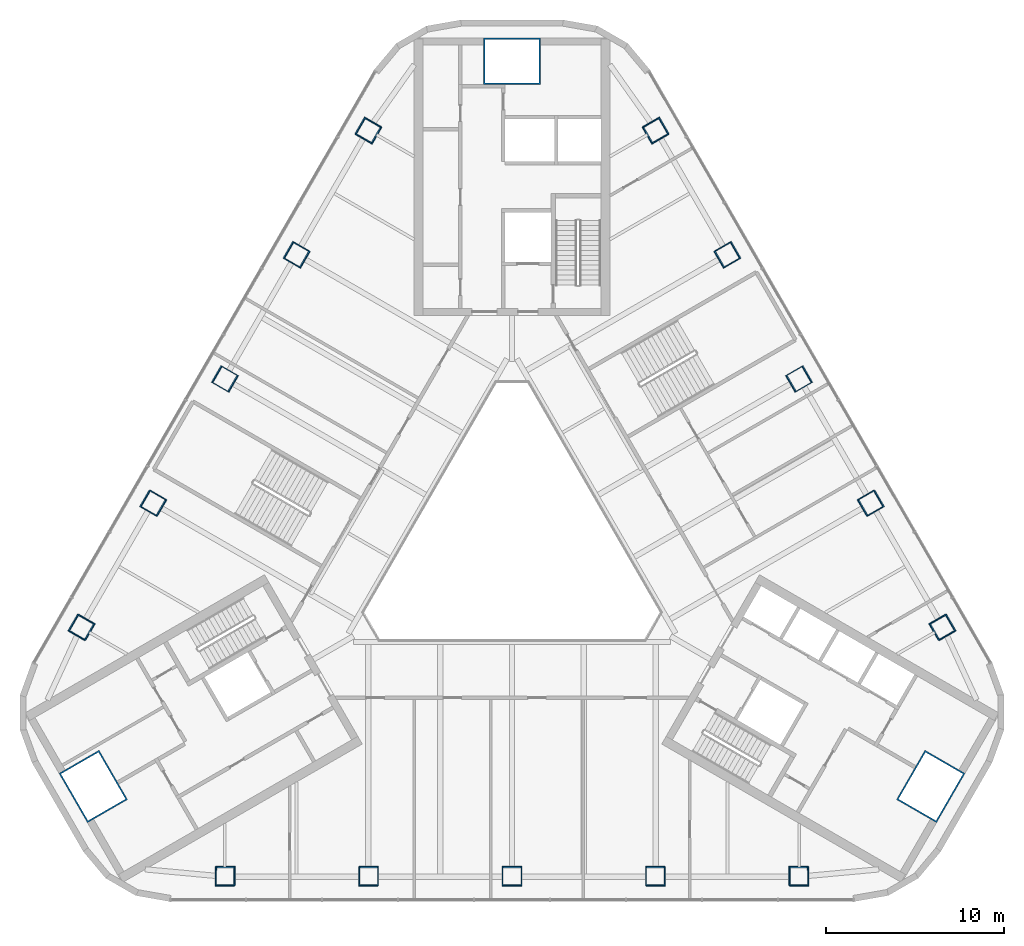
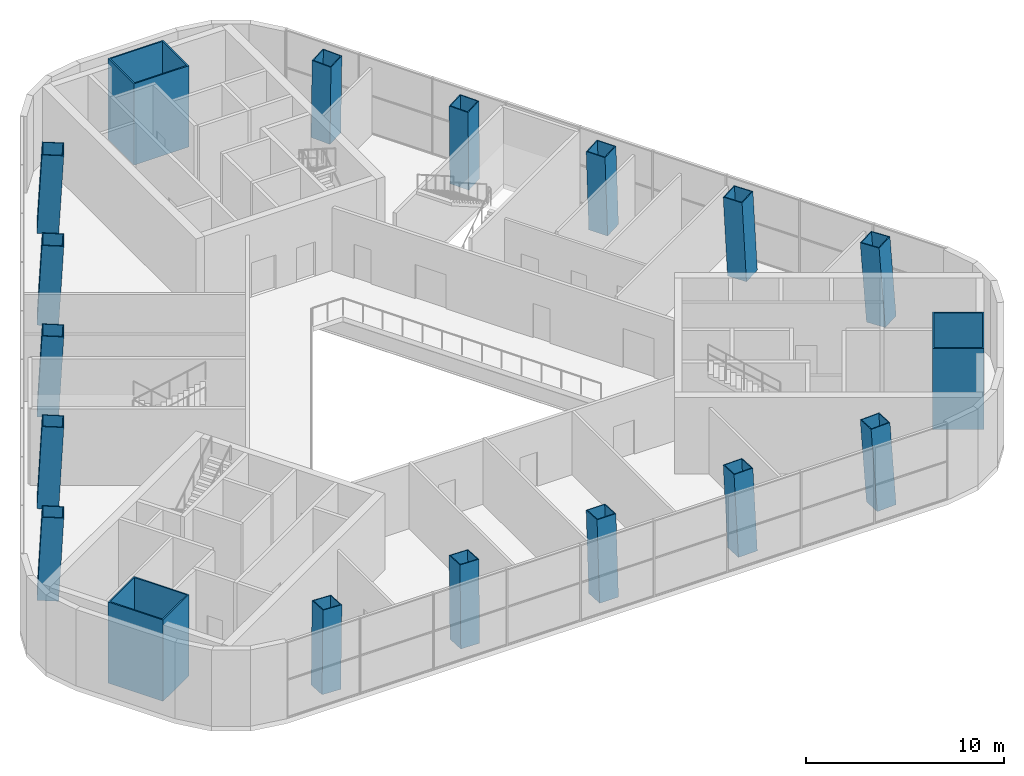
# One storey, part 1 of 13: 18 columns.
"""IFC4 building model written with IfcOpenShell, lengths in metres."""

from ifc_helpers import new_model, si_unit, direction, frame, origin, origin_2d, place, context, subcontext, project, spatial, rectangle, hollow_rectangle, extrude, boolean, halfspace, material, material_profile, profile_set, type_object, element, save


model = new_model("IFC4")

# Units and contexts
model_context = context("Model", 3, precision=1e-05, world=origin(), true_north=direction((0.0, 1.0)))
body_context = subcontext(model_context, "Body", "Model", "MODEL_VIEW")
ifc_project = project(units=[si_unit("LENGTHUNIT", "METRE"), si_unit("AREAUNIT", "SQUARE_METRE"), si_unit("VOLUMEUNIT", "CUBIC_METRE"), si_unit("PLANEANGLEUNIT", "RADIAN"), si_unit("MASSUNIT", "GRAM", prefix="KILO")], contexts=[model_context])

# Site, building, storey
site_placement = place(None, origin())
site = spatial("IfcSite", under=ifc_project, at=site_placement, CompositionType="ELEMENT")
building_placement = place(site_placement, origin())
building = spatial("IfcBuilding", under=site, at=building_placement, Name="Apuvela Tower Hotel", CompositionType="ELEMENT")
storey_placement = place(building_placement, frame((0.0, 0.0, 23.5)))
storey = spatial("IfcBuildingStorey", under=building, at=storey_placement, Name="L03", CompositionType="ELEMENT", Elevation=23.5)

# Columns
ifc_material_1 = material(Name="Steel S460", Category="steel")
ifc_material_profile_1 = material_profile(ifc_material_1, hollow_rectangle(XDim=3.199951171875, YDim=2.60009765625, WallThickness=0.080078125, at=origin_2d()), Name="BOX 3200x2600x80")
ifc_material_2 = material(Name="Concrete C80/95", Category="concrete")
ifc_material_profile_2 = material_profile(ifc_material_2, rectangle(XDim=3.0400390625, YDim=2.43994140625, at=origin_2d()), Name="Concrete C80/95 infill")
ifc_profile_set_1 = profile_set([ifc_material_profile_1, ifc_material_profile_2], Name="Steel S460")
column_type_1 = type_object("IfcColumnType", Name="STR-MC mega column BOX 3200x2600x80", PredefinedType="COLUMN", material=ifc_profile_set_1)
for number, where, z_axis, x_axis, name in (
    (1, (0.0, 27.199951171875, 0.0), (0.0, 0.0, 1.0), (1.0, 0.0, 0.0), "Mega column MC1 N"),
    (2, (-23.555908203125, -13.60009765625, 0.0), (0.0, 0.0, 1.0), (-0.5, 0.866025403784, 0.0), "Mega column MC1 SW"),
    (3, (23.555908203125, -13.60009765625, 0.0), (0.0, 0.0, 1.0), (0.5, 0.866025403784, 0.0), "Mega column MC1 SE"),
):
    element("IfcColumn", number, at=place(storey_placement, frame(where, z_axis=z_axis, x_axis=x_axis)), inside=storey, type_object=column_type_1, Name=name, PredefinedType="COLUMN", context=body_context, shape_type="SweptSolid", body=[
        extrude(hollow_rectangle(XDim=3.199951171875, YDim=2.60009765625, WallThickness=0.080078125, at=origin_2d()), origin(), (0.0, 0.0, 1.0), 5.0),
    ])
ifc_material_profile_3 = material_profile(ifc_material_1, hollow_rectangle(XDim=1.10009765625, YDim=1.10009765625, WallThickness=0.050048828125, at=origin_2d()), Name="BOX 1100x1100x50")
ifc_material_profile_4 = material_profile(ifc_material_2, rectangle(XDim=1.0, YDim=1.0, at=origin_2d()), Name="Concrete C80/95 infill")
ifc_profile_set_2 = profile_set([ifc_material_profile_3, ifc_material_profile_4], Name="Steel S460")
column_type_2 = type_object("IfcColumnType", Name="STR-PC perimeter column BOX 1100x1100x50", PredefinedType="COLUMN", material=ifc_profile_set_2)
column_1_placement = place(storey_placement, frame((-16.158935546875, -18.676025390625, 0.0), z_axis=(0.041995221245, 0.052226075608, 0.997751892215), x_axis=(-0.999116711053, 0.000712967272, 0.042015346876)))
element("IfcColumn", 4, at=column_1_placement, inside=storey, type_object=column_type_2, Name="Perimeter column C1 S1", PredefinedType="COLUMN", context=body_context, shape_type="SweptSolid", body=[
    boolean("DIFFERENCE", boolean("DIFFERENCE", extrude(hollow_rectangle(XDim=1.10009765625, YDim=1.10009765625, WallThickness=0.050048828125, at=origin_2d()), origin(), (0.0, 0.0, 1.0), 5.01123046875), halfspace(frame((0.0, 0.0, 0.0166015625), z_axis=(0.0, 0.0, 1.0), x_axis=(1.0, 0.0, 0.0)), True)), halfspace(frame((0.0, 0.0, 4.99853515625), z_axis=(0.0, 0.0, 1.0), x_axis=(1.0, 0.0, 0.0)), False)),
])
column_2_placement = place(storey_placement, frame((-8.07958984375, -18.676025390625, 0.0), z_axis=(0.021060240181, 0.052260596004, 0.998411386348), x_axis=(-0.999778208433, 0.001085815533, 0.021032235927)))
element("IfcColumn", 5, at=column_2_placement, inside=storey, type_object=column_type_2, Name="Perimeter column C1 S2", PredefinedType="COLUMN", context=body_context, shape_type="SweptSolid", body=[
    boolean("DIFFERENCE", boolean("DIFFERENCE", extrude(hollow_rectangle(XDim=1.10009765625, YDim=1.10009765625, WallThickness=0.050048828125, at=origin_2d()), origin(), (0.0, 0.0, 1.0), 5.008056640625), halfspace(frame((0.0, 0.0, 0.014404296875), z_axis=(0.0, 0.0, 1.0), x_axis=(1.0, 0.0, 0.0)), True)), halfspace(frame((0.0, 0.0, 4.9970703125), z_axis=(0.0, 0.0, 1.0), x_axis=(1.0, 0.0, 0.0)), False)),
])
column_3_placement = place(storey_placement, frame((0.0, -18.676025390625, 0.0), z_axis=(0.0, 0.052272189529, 0.998632874585), x_axis=(-1.0, 0.0, 0.0)))
element("IfcColumn", 6, at=column_3_placement, inside=storey, type_object=column_type_2, Name="Perimeter column C1 S3", PredefinedType="COLUMN", context=body_context, shape_type="SweptSolid", body=[
    boolean("DIFFERENCE", boolean("DIFFERENCE", extrude(hollow_rectangle(XDim=1.10009765625, YDim=1.10009765625, WallThickness=0.050048828125, at=origin_2d()), origin(), (0.0, 0.0, 1.0), 5.0068359375), halfspace(frame((0.0, 0.0, 0.013427734375), z_axis=(0.0, 0.0, 1.0), x_axis=(1.0, 0.0, 0.0)), True)), halfspace(frame((0.0, 0.0, 4.996337890625), z_axis=(0.0, 0.0, 1.0), x_axis=(1.0, 0.0, 0.0)), False)),
])
column_4_placement = place(storey_placement, frame((8.07958984375, -18.676025390625, 0.0), z_axis=(-0.021060240181, 0.052260596004, 0.998411386348), x_axis=(0.999778208433, 0.001085815533, 0.021032235927)))
element("IfcColumn", 7, at=column_4_placement, inside=storey, type_object=column_type_2, Name="Perimeter column C1 S4", PredefinedType="COLUMN", context=body_context, shape_type="SweptSolid", body=[
    boolean("DIFFERENCE", boolean("DIFFERENCE", extrude(hollow_rectangle(XDim=1.10009765625, YDim=1.10009765625, WallThickness=0.050048828125, at=origin_2d()), origin(), (0.0, 0.0, 1.0), 5.008056640625), halfspace(frame((0.0, 0.0, 0.014404296875), z_axis=(0.0, 0.0, 1.0), x_axis=(1.0, 0.0, 0.0)), True)), halfspace(frame((0.0, 0.0, 4.9970703125), z_axis=(0.0, 0.0, 1.0), x_axis=(1.0, 0.0, 0.0)), False)),
])
for number, where, z_axis, x_axis, name in (
    (8, (16.158935546875, -18.676025390625, 0.0), (-0.041995221245, 0.052226075608, 0.997751892215), (0.999116711053, 0.000712967272, 0.042015346876), "Perimeter column C1 S5"),
    (9, (24.25341796875, -4.656005859375, 0.0), (-0.066256812747, 0.010279549625, 0.997749650776), (0.498832862409, -0.865677791145, 0.042044468106), "Perimeter column C1 NE1"),
):
    element("IfcColumn", number, at=place(storey_placement, frame(where, z_axis=z_axis, x_axis=x_axis)), inside=storey, type_object=column_type_2, Name=name, PredefinedType="COLUMN", context=body_context, shape_type="SweptSolid", body=[
        boolean("DIFFERENCE", boolean("DIFFERENCE", extrude(hollow_rectangle(XDim=1.10009765625, YDim=1.10009765625, WallThickness=0.050048828125, at=origin_2d()), origin(), (0.0, 0.0, 1.0), 5.01123046875), halfspace(frame((0.0, 0.0, 0.0166015625), z_axis=(0.0, 0.0, 1.0), x_axis=(1.0, 0.0, 0.0)), True)), halfspace(frame((0.0, 0.0, 4.99853515625), z_axis=(0.0, 0.0, 1.0), x_axis=(1.0, 0.0, 0.0)), False)),
    ])
column_5_placement = place(storey_placement, frame((20.213623046875, 2.341064453125, 0.0), z_axis=(-0.055770669369, -0.007946345373, 0.998411983118), x_axis=(0.499656252381, -0.865968742186, 0.021018254285)))
element("IfcColumn", 10, at=column_5_placement, inside=storey, type_object=column_type_2, Name="Perimeter column C1 NE2", PredefinedType="COLUMN", context=body_context, shape_type="SweptSolid", body=[
    boolean("DIFFERENCE", boolean("DIFFERENCE", extrude(hollow_rectangle(XDim=1.10009765625, YDim=1.10009765625, WallThickness=0.050048828125, at=origin_2d()), origin(), (0.0, 0.0, 1.0), 5.008056640625), halfspace(frame((0.0, 0.0, 0.014404296875), z_axis=(0.0, 0.0, 1.0), x_axis=(1.0, 0.0, 0.0)), True)), halfspace(frame((0.0, 0.0, 4.9970703125), z_axis=(0.0, 0.0, 1.0), x_axis=(1.0, 0.0, 0.0)), False)),
])
column_6_placement = place(storey_placement, frame((16.173828125, 9.337890625, 0.0), z_axis=(-0.045250647617, -0.026087388443, 0.99863498189), x_axis=(0.499528531793, -0.866297435009, 4.558094e-06)))
element("IfcColumn", 11, at=column_6_placement, inside=storey, type_object=column_type_2, Name="Perimeter column C1 NE3", PredefinedType="COLUMN", context=body_context, shape_type="SweptSolid", body=[
    boolean("DIFFERENCE", boolean("DIFFERENCE", extrude(hollow_rectangle(XDim=1.10009765625, YDim=1.10009765625, WallThickness=0.050048828125, at=origin_2d()), origin(), (0.0, 0.0, 1.0), 5.0068359375), halfspace(frame((0.0, 0.0, 0.013427734375), z_axis=(0.0, 0.0, 1.0), x_axis=(1.0, 0.0, 0.0)), True)), halfspace(frame((0.0, 0.0, 4.996337890625), z_axis=(0.0, 0.0, 1.0), x_axis=(1.0, 0.0, 0.0)), False)),
])
column_7_placement = place(storey_placement, frame((12.13427734375, 16.335205078125, 0.0), z_axis=(-0.034759119107, -0.04436297109, 0.998410602125), x_axis=(-0.500316360293, 0.865586931558, 0.021042897599)))
element("IfcColumn", 12, at=column_7_placement, inside=storey, type_object=column_type_2, Name="Perimeter column C1 NE4", PredefinedType="COLUMN", context=body_context, shape_type="SweptSolid", body=[
    boolean("DIFFERENCE", boolean("DIFFERENCE", extrude(hollow_rectangle(XDim=1.10009765625, YDim=1.10009765625, WallThickness=0.050048828125, at=origin_2d()), origin(), (0.0, 0.0, 1.0), 5.008056640625), halfspace(frame((0.0, 0.0, 0.014404296875), z_axis=(0.0, 0.0, 1.0), x_axis=(1.0, 0.0, 0.0)), True)), halfspace(frame((0.0, 0.0, 4.9970703125), z_axis=(0.0, 0.0, 1.0), x_axis=(1.0, 0.0, 0.0)), False)),
])
for number, where, z_axis, x_axis, name in (
    (13, (8.094482421875, 23.33203125, 0.0), (-0.024212996995, -0.062505583791, 0.997750862075), (-0.500357699692, 0.864797842793, 0.042034074978), "Perimeter column C1 NE5"),
    (14, (-8.094482421875, 23.33203125, 0.0), (0.024212996995, -0.062505583791, 0.997750862075), (0.500357699692, 0.864797842793, 0.042034074978), "Perimeter column C1 NW1"),
):
    element("IfcColumn", number, at=place(storey_placement, frame(where, z_axis=z_axis, x_axis=x_axis)), inside=storey, type_object=column_type_2, Name=name, PredefinedType="COLUMN", context=body_context, shape_type="SweptSolid", body=[
        boolean("DIFFERENCE", boolean("DIFFERENCE", extrude(hollow_rectangle(XDim=1.10009765625, YDim=1.10009765625, WallThickness=0.050048828125, at=origin_2d()), origin(), (0.0, 0.0, 1.0), 5.01123046875), halfspace(frame((0.0, 0.0, 0.0166015625), z_axis=(0.0, 0.0, 1.0), x_axis=(1.0, 0.0, 0.0)), True)), halfspace(frame((0.0, 0.0, 4.99853515625), z_axis=(0.0, 0.0, 1.0), x_axis=(1.0, 0.0, 0.0)), False)),
    ])
column_8_placement = place(storey_placement, frame((-12.13427734375, 16.335205078125, 0.0), z_axis=(0.034759119107, -0.04436297109, 0.998410602125), x_axis=(0.500316360293, 0.865586931558, 0.021042897599)))
element("IfcColumn", 15, at=column_8_placement, inside=storey, type_object=column_type_2, Name="Perimeter column C1 NW2", PredefinedType="COLUMN", context=body_context, shape_type="SweptSolid", body=[
    boolean("DIFFERENCE", boolean("DIFFERENCE", extrude(hollow_rectangle(XDim=1.10009765625, YDim=1.10009765625, WallThickness=0.050048828125, at=origin_2d()), origin(), (0.0, 0.0, 1.0), 5.008056640625), halfspace(frame((0.0, 0.0, 0.014404296875), z_axis=(0.0, 0.0, 1.0), x_axis=(1.0, 0.0, 0.0)), True)), halfspace(frame((0.0, 0.0, 4.9970703125), z_axis=(0.0, 0.0, 1.0), x_axis=(1.0, 0.0, 0.0)), False)),
])
column_9_placement = place(storey_placement, frame((-16.173828125, 9.337890625, 0.0), z_axis=(0.045250647617, -0.026087388443, 0.99863498189), x_axis=(-0.499528531793, -0.866297435009, 4.558094e-06)))
element("IfcColumn", 16, at=column_9_placement, inside=storey, type_object=column_type_2, Name="Perimeter column C1 NW3", PredefinedType="COLUMN", context=body_context, shape_type="SweptSolid", body=[
    boolean("DIFFERENCE", boolean("DIFFERENCE", extrude(hollow_rectangle(XDim=1.10009765625, YDim=1.10009765625, WallThickness=0.050048828125, at=origin_2d()), origin(), (0.0, 0.0, 1.0), 5.0068359375), halfspace(frame((0.0, 0.0, 0.013427734375), z_axis=(0.0, 0.0, 1.0), x_axis=(1.0, 0.0, 0.0)), True)), halfspace(frame((0.0, 0.0, 4.996337890625), z_axis=(0.0, 0.0, 1.0), x_axis=(1.0, 0.0, 0.0)), False)),
])
column_10_placement = place(storey_placement, frame((-20.213623046875, 2.341064453125, 0.0), z_axis=(0.055770669369, -0.007946345373, 0.998411983118), x_axis=(-0.499656252381, -0.865968742186, 0.021018254285)))
element("IfcColumn", 17, at=column_10_placement, inside=storey, type_object=column_type_2, Name="Perimeter column C1 NW4", PredefinedType="COLUMN", context=body_context, shape_type="SweptSolid", body=[
    boolean("DIFFERENCE", boolean("DIFFERENCE", extrude(hollow_rectangle(XDim=1.10009765625, YDim=1.10009765625, WallThickness=0.050048828125, at=origin_2d()), origin(), (0.0, 0.0, 1.0), 5.008056640625), halfspace(frame((0.0, 0.0, 0.014404296875), z_axis=(0.0, 0.0, 1.0), x_axis=(1.0, 0.0, 0.0)), True)), halfspace(frame((0.0, 0.0, 4.9970703125), z_axis=(0.0, 0.0, 1.0), x_axis=(1.0, 0.0, 0.0)), False)),
])
column_11_placement = place(storey_placement, frame((-24.25341796875, -4.656005859375, 0.0), z_axis=(0.066256812747, 0.010279549625, 0.997749650776), x_axis=(-0.498832862409, -0.865677791145, 0.042044468106)))
element("IfcColumn", 18, at=column_11_placement, inside=storey, type_object=column_type_2, Name="Perimeter column C1 NW5", PredefinedType="COLUMN", context=body_context, shape_type="SweptSolid", body=[
    boolean("DIFFERENCE", boolean("DIFFERENCE", extrude(hollow_rectangle(XDim=1.10009765625, YDim=1.10009765625, WallThickness=0.050048828125, at=origin_2d()), origin(), (0.0, 0.0, 1.0), 5.01123046875), halfspace(frame((0.0, 0.0, 0.0166015625), z_axis=(0.0, 0.0, 1.0), x_axis=(1.0, 0.0, 0.0)), True)), halfspace(frame((0.0, 0.0, 4.99853515625), z_axis=(0.0, 0.0, 1.0), x_axis=(1.0, 0.0, 0.0)), False)),
])

save(model, "model.ifc")
